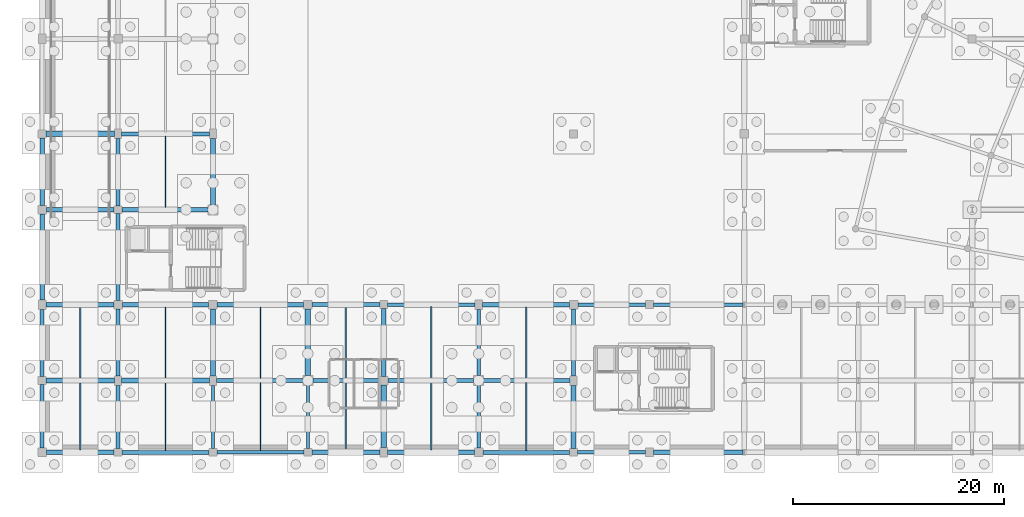
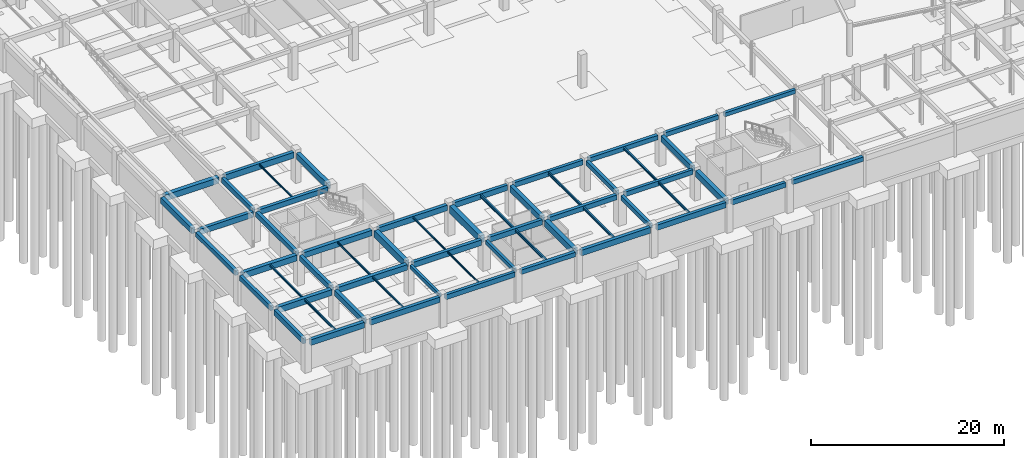
# One storey, part 17 of 42: 58 beams.
"""IFC4 building model written with IfcOpenShell, lengths in metres."""

from ifc_helpers import new_model, si_unit, direction, frame, origin, origin_2d, place, context, subcontext, project, spatial, rectangle, i_section, extrude, material, material_profile, profile_set, type_object, element, save


model = new_model("IFC4")

# Units and contexts
model_context = context("Model", 3, precision=1e-05, world=origin(), true_north=direction((0.0, 1.0)))
body_context = subcontext(model_context, "Body", "Model", "MODEL_VIEW")
ifc_project = project(units=[si_unit("LENGTHUNIT", "METRE"), si_unit("AREAUNIT", "SQUARE_METRE"), si_unit("VOLUMEUNIT", "CUBIC_METRE"), si_unit("PLANEANGLEUNIT", "RADIAN"), si_unit("MASSUNIT", "GRAM", prefix="KILO")], contexts=[model_context])

# Site, building, storey
site_placement = place(None, origin())
site = spatial("IfcSite", under=ifc_project, at=site_placement, CompositionType="ELEMENT")
building_placement = place(site_placement, origin())
building = spatial("IfcBuilding", under=site, at=building_placement, Name="Clarverna Civic Hall", CompositionType="ELEMENT")
storey_placement = place(building_placement, frame((0.0, 0.0, -4.199951171875)))
storey = spatial("IfcBuildingStorey", under=building, at=storey_placement, Name="B01", CompositionType="ELEMENT", Elevation=-4.199951171875)

# Beams
ifc_material_1 = material(Name="Concrete C35/45", Category="concrete")
ifc_material_profile_1 = material_profile(ifc_material_1, rectangle(XDim=0.5, YDim=0.85009765625, at=origin_2d()), Name="RC 500x850")
ifc_profile_set_1 = profile_set([ifc_material_profile_1], Name="Concrete C35/45")
beam_type_1 = type_object("IfcBeamType", Name="B-RC1", PredefinedType="BEAM", material=ifc_profile_set_1)
beam_1_placement = place(storey_placement, frame((16.199951171875, 7.25, 3.4150390625), z_axis=(0.0, 1.0, 0.0), x_axis=(-1.0, 0.0, 0.0)))
element("IfcBeam", 1, at=beam_1_placement, inside=storey, type_object=beam_type_1, Name="B-RC1-007", PredefinedType="BEAM", context=body_context, shape_type="SweptSolid", body=[
    extrude(rectangle(XDim=0.5, YDim=0.85009765625, at=origin_2d()), origin(), (0.0, 0.0, 1.0), 6.35009765625),
])
beam_2_placement = place(storey_placement, frame((32.39990234375, 0.449951171875, 3.4150390625), z_axis=(0.0, 1.0, 0.0), x_axis=(-1.0, 0.0, 0.0)))
element("IfcBeam", 2, at=beam_2_placement, inside=storey, type_object=beam_type_1, Name="B-RC1-008", PredefinedType="BEAM", context=body_context, shape_type="SweptSolid", body=[
    extrude(rectangle(XDim=0.5, YDim=0.85009765625, at=origin_2d()), origin(), (0.0, 0.0, 1.0), 5.949951171875),
])
ifc_material_profile_2 = material_profile(ifc_material_1, rectangle(XDim=0.35009765625, YDim=0.5, at=origin_2d()), Name="RC 350x500")
ifc_profile_set_2 = profile_set([ifc_material_profile_2], Name="Concrete C35/45")
beam_type_2 = type_object("IfcBeamType", Name="B-RC10", PredefinedType="BEAM", material=ifc_profile_set_2)
beam_3_placement = place(storey_placement, frame((57.97509765625, 14.0, 3.58984375), z_axis=(1.0, 0.0, 0.0), x_axis=(0.0, 1.0, 0.0)))
element("IfcBeam", 3, at=beam_3_placement, inside=storey, type_object=beam_type_2, Name="B-RC10-002", PredefinedType="BEAM", context=body_context, shape_type="SweptSolid", body=[
    extrude(rectangle(XDim=0.35009765625, YDim=0.5, at=origin_2d()), origin(), (0.0, 0.0, 1.0), 8.474853515625),
])
ifc_material_profile_3 = material_profile(ifc_material_1, rectangle(XDim=0.300048828125, YDim=0.5, at=origin_2d()), Name="RC 300x500")
ifc_profile_set_3 = profile_set([ifc_material_profile_3], Name="Concrete C35/45")
beam_type_3 = type_object("IfcBeamType", Name="B-RC12", PredefinedType="BEAM", material=ifc_profile_set_3)
beam_4_placement = place(storey_placement, frame((25.199951171875, 0.375, 3.58984375), z_axis=(0.0, 1.0, 0.0), x_axis=(-1.0, 0.0, 0.0)))
element("IfcBeam", 4, at=beam_4_placement, inside=storey, type_object=beam_type_3, Name="B-RC12-011", PredefinedType="BEAM", context=body_context, shape_type="SweptSolid", body=[
    extrude(rectangle(XDim=0.300048828125, YDim=0.5, at=origin_2d()), origin(), (0.0, 0.0, 1.0), 5.949951171875),
])
ifc_material_profile_4 = material_profile(ifc_material_1, rectangle(XDim=0.550048828125, YDim=0.89990234375, at=origin_2d()), Name="RC 550x900")
ifc_profile_set_4 = profile_set([ifc_material_profile_4], Name="Concrete C35/45")
beam_type_4 = type_object("IfcBeamType", Name="B-RC13", PredefinedType="BEAM", material=ifc_profile_set_4)
beam_5_placement = place(storey_placement, frame((25.199951171875, 7.27490234375, 3.389892578125), z_axis=(0.0, 1.0, 0.0), x_axis=(-1.0, 0.0, 0.0)))
element("IfcBeam", 5, at=beam_5_placement, inside=storey, type_object=beam_type_4, Name="B-RC13-009", PredefinedType="BEAM", context=body_context, shape_type="SweptSolid", body=[
    extrude(rectangle(XDim=0.550048828125, YDim=0.89990234375, at=origin_2d()), origin(), (0.0, 0.0, 1.0), 6.3251953125),
])
ifc_material_profile_5 = material_profile(ifc_material_1, rectangle(XDim=0.5, YDim=0.75, at=origin_2d()), Name="RC 500x750")
ifc_profile_set_5 = profile_set([ifc_material_profile_5], Name="Concrete C35/45")
beam_type_5 = type_object("IfcBeamType", Name="B-RC15", PredefinedType="BEAM", material=ifc_profile_set_5)
beam_6_placement = place(storey_placement, frame((0.375, 30.199951171875, 3.46484375), z_axis=(1.0, 0.0, 0.0), x_axis=(0.0, 1.0, 0.0)))
element("IfcBeam", 6, at=beam_6_placement, inside=storey, type_object=beam_type_5, Name="B-RC15-003", PredefinedType="BEAM", context=body_context, shape_type="SweptSolid", body=[
    extrude(rectangle(XDim=0.5, YDim=0.75, at=origin_2d()), origin(), (0.0, 0.0, 1.0), 6.47509765625),
])
beam_7_placement = place(storey_placement, frame((50.39990234375, 0.375, 3.46484375), z_axis=(0.0, 1.0, 0.0), x_axis=(-1.0, 0.0, 0.0)))
element("IfcBeam", 7, at=beam_7_placement, inside=storey, type_object=beam_type_5, Name="B-RC15-011", PredefinedType="BEAM", context=body_context, shape_type="SweptSolid", body=[
    extrude(rectangle(XDim=0.5, YDim=0.75, at=origin_2d()), origin(), (0.0, 0.0, 1.0), 5.97509765625),
])
ifc_material_profile_6 = material_profile(ifc_material_1, rectangle(XDim=0.39990234375, YDim=0.75, at=origin_2d()), Name="RC 400x750")
ifc_profile_set_6 = profile_set([ifc_material_profile_6], Name="Concrete C35/45")
beam_type_6 = type_object("IfcBeamType", Name="B-RC16", PredefinedType="BEAM", material=ifc_profile_set_6)
beam_8_placement = place(storey_placement, frame((7.550048828125, 30.199951171875, 3.46484375), z_axis=(1.0, 0.0, 0.0), x_axis=(0.0, 1.0, 0.0)))
element("IfcBeam", 8, at=beam_8_placement, inside=storey, type_object=beam_type_6, Name="B-RC16-003", PredefinedType="BEAM", context=body_context, shape_type="SweptSolid", body=[
    extrude(rectangle(XDim=0.39990234375, YDim=0.75, at=origin_2d()), origin(), (0.0, 0.0, 1.0), 8.300048828125),
])
beam_9_placement = place(storey_placement, frame((50.39990234375, 7.25, 3.46484375), z_axis=(0.0, 1.0, 0.0), x_axis=(-1.0, 0.0, 0.0)))
element("IfcBeam", 9, at=beam_9_placement, inside=storey, type_object=beam_type_6, Name="B-RC16-012", PredefinedType="BEAM", context=body_context, shape_type="SweptSolid", body=[
    extrude(rectangle(XDim=0.39990234375, YDim=0.75, at=origin_2d()), origin(), (0.0, 0.0, 1.0), 6.35009765625),
])
ifc_material_profile_7 = material_profile(ifc_material_1, rectangle(XDim=0.300048828125, YDim=0.449951171875, at=origin_2d()), Name="RC 300x450")
ifc_profile_set_7 = profile_set([ifc_material_profile_7], Name="Concrete C35/45")
beam_type_7 = type_object("IfcBeamType", Name="B-RC18", PredefinedType="BEAM", material=ifc_profile_set_7)
beam_10_placement = place(storey_placement, frame((16.199951171875, 0.375, 3.614990234375), z_axis=(0.0, 1.0, 0.0), x_axis=(-1.0, 0.0, 0.0)))
element("IfcBeam", 10, at=beam_10_placement, inside=storey, type_object=beam_type_7, Name="B-RC18-008", PredefinedType="BEAM", context=body_context, shape_type="SweptSolid", body=[
    extrude(rectangle(XDim=0.300048828125, YDim=0.449951171875, at=origin_2d()), origin(), (0.0, 0.0, 1.0), 5.97509765625),
])
ifc_material_profile_8 = material_profile(ifc_material_1, rectangle(XDim=0.449951171875, YDim=0.800048828125, at=origin_2d()), Name="RC 450x800")
ifc_profile_set_8 = profile_set([ifc_material_profile_8], Name="Concrete C35/45")
beam_type_8 = type_object("IfcBeamType", Name="B-RC2", PredefinedType="BEAM", material=ifc_profile_set_8)
beam_11_placement = place(storey_placement, frame((16.199951171875, 23.47509765625, 3.43994140625), z_axis=(0.0, 1.0, 0.0), x_axis=(-1.0, 0.0, 0.0)))
element("IfcBeam", 11, at=beam_11_placement, inside=storey, type_object=beam_type_8, Name="B-RC2-007", PredefinedType="BEAM", context=body_context, shape_type="SweptSolid", body=[
    extrude(rectangle(XDim=0.449951171875, YDim=0.800048828125, at=origin_2d()), origin(), (0.0, 0.0, 1.0), 6.27490234375),
])
beam_12_placement = place(storey_placement, frame((32.39990234375, 7.199951171875, 3.43994140625), z_axis=(0.0, 1.0, 0.0), x_axis=(-1.0, 0.0, 0.0)))
element("IfcBeam", 12, at=beam_12_placement, inside=storey, type_object=beam_type_8, Name="B-RC2-008", PredefinedType="BEAM", context=body_context, shape_type="SweptSolid", body=[
    extrude(rectangle(XDim=0.449951171875, YDim=0.800048828125, at=origin_2d()), origin(), (0.0, 0.0, 1.0), 6.425048828125),
])
ifc_material_profile_9 = material_profile(ifc_material_1, rectangle(XDim=0.449951171875, YDim=0.75, at=origin_2d()), Name="RC 450x750")
ifc_profile_set_9 = profile_set([ifc_material_profile_9], Name="Concrete C35/45")
beam_type_9 = type_object("IfcBeamType", Name="B-RC3", PredefinedType="BEAM", material=ifc_profile_set_9)
beam_13_placement = place(storey_placement, frame((0.375, 6.800048828125, 3.46484375), z_axis=(1.0, 0.0, 0.0), x_axis=(0.0, 1.0, 0.0)))
element("IfcBeam", 13, at=beam_13_placement, inside=storey, type_object=beam_type_9, Name="B-RC3-001", PredefinedType="BEAM", context=body_context, shape_type="SweptSolid", body=[
    extrude(rectangle(XDim=0.449951171875, YDim=0.75, at=origin_2d()), origin(), (0.0, 0.0, 1.0), 6.47509765625),
])
beam_14_placement = place(storey_placement, frame((0.35009765625, 14.0, 3.46484375), z_axis=(1.0, 0.0, 0.0), x_axis=(0.0, 1.0, 0.0)))
element("IfcBeam", 14, at=beam_14_placement, inside=storey, type_object=beam_type_9, Name="B-RC3-002", PredefinedType="BEAM", context=body_context, shape_type="SweptSolid", body=[
    extrude(rectangle(XDim=0.449951171875, YDim=0.75, at=origin_2d()), origin(), (0.0, 0.0, 1.0), 6.449951171875),
])
ifc_material_profile_10 = material_profile(ifc_material_1, rectangle(XDim=0.449951171875, YDim=0.699951171875, at=origin_2d()), Name="RC 450x700")
ifc_profile_set_10 = profile_set([ifc_material_profile_10], Name="Concrete C35/45")
beam_type_10 = type_object("IfcBeamType", Name="B-RC4", PredefinedType="BEAM", material=ifc_profile_set_10)
beam_15_placement = place(storey_placement, frame((7.550048828125, 6.800048828125, 3.489990234375), z_axis=(1.0, 0.0, 0.0), x_axis=(0.0, 1.0, 0.0)))
element("IfcBeam", 15, at=beam_15_placement, inside=storey, type_object=beam_type_10, Name="B-RC4-001", PredefinedType="BEAM", context=body_context, shape_type="SweptSolid", body=[
    extrude(rectangle(XDim=0.449951171875, YDim=0.699951171875, at=origin_2d()), origin(), (0.0, 0.0, 1.0), 8.300048828125),
])
beam_16_placement = place(storey_placement, frame((7.60009765625, 14.0, 3.489990234375), z_axis=(1.0, 0.0, 0.0), x_axis=(0.0, 1.0, 0.0)))
element("IfcBeam", 16, at=beam_16_placement, inside=storey, type_object=beam_type_10, Name="B-RC4-002", PredefinedType="BEAM", context=body_context, shape_type="SweptSolid", body=[
    extrude(rectangle(XDim=0.449951171875, YDim=0.699951171875, at=origin_2d()), origin(), (0.0, 0.0, 1.0), 8.199951171875),
])
ifc_material_profile_11 = material_profile(ifc_material_1, rectangle(XDim=0.39990234375, YDim=0.699951171875, at=origin_2d()), Name="RC 400x700")
ifc_profile_set_11 = profile_set([ifc_material_profile_11], Name="Concrete C35/45")
beam_type_11 = type_object("IfcBeamType", Name="B-RC5", PredefinedType="BEAM", material=ifc_profile_set_11)
beam_17_placement = place(storey_placement, frame((16.550048828125, 6.800048828125, 3.489990234375), z_axis=(1.0, 0.0, 0.0), x_axis=(0.0, 1.0, 0.0)))
element("IfcBeam", 17, at=beam_17_placement, inside=storey, type_object=beam_type_11, Name="B-RC5-001", PredefinedType="BEAM", context=body_context, shape_type="SweptSolid", body=[
    extrude(rectangle(XDim=0.39990234375, YDim=0.699951171875, at=origin_2d()), origin(), (0.0, 0.0, 1.0), 8.175048828125),
])
beam_18_placement = place(storey_placement, frame((16.60009765625, 14.0, 3.489990234375), z_axis=(1.0, 0.0, 0.0), x_axis=(0.0, 1.0, 0.0)))
element("IfcBeam", 18, at=beam_18_placement, inside=storey, type_object=beam_type_11, Name="B-RC5-002", PredefinedType="BEAM", context=body_context, shape_type="SweptSolid", body=[
    extrude(rectangle(XDim=0.39990234375, YDim=0.699951171875, at=origin_2d()), origin(), (0.0, 0.0, 1.0), 8.199951171875),
])
beam_19_placement = place(storey_placement, frame((0.39990234375, 23.0, 3.489990234375), z_axis=(1.0, 0.0, 0.0), x_axis=(0.0, 1.0, 0.0)))
element("IfcBeam", 19, at=beam_19_placement, inside=storey, type_object=beam_type_11, Name="B-RC5-003", PredefinedType="BEAM", context=body_context, shape_type="SweptSolid", body=[
    extrude(rectangle(XDim=0.39990234375, YDim=0.699951171875, at=origin_2d()), origin(), (0.0, 0.0, 1.0), 6.425048828125),
])
beam_20_placement = place(storey_placement, frame((7.199951171875, 0.375, 3.489990234375), z_axis=(0.0, 1.0, 0.0), x_axis=(-1.0, 0.0, 0.0)))
element("IfcBeam", 20, at=beam_20_placement, inside=storey, type_object=beam_type_11, Name="B-RC5-010", PredefinedType="BEAM", context=body_context, shape_type="SweptSolid", body=[
    extrude(rectangle(XDim=0.39990234375, YDim=0.699951171875, at=origin_2d()), origin(), (0.0, 0.0, 1.0), 5.97509765625),
])
ifc_material_profile_12 = material_profile(ifc_material_1, rectangle(XDim=0.39990234375, YDim=0.64990234375, at=origin_2d()), Name="RC 400x650")
ifc_profile_set_12 = profile_set([ifc_material_profile_12], Name="Concrete C35/45")
beam_type_12 = type_object("IfcBeamType", Name="B-RC6", PredefinedType="BEAM", material=ifc_profile_set_12)
beam_21_placement = place(storey_placement, frame((25.675048828125, 6.800048828125, 3.514892578125), z_axis=(1.0, 0.0, 0.0), x_axis=(0.0, 1.0, 0.0)))
element("IfcBeam", 21, at=beam_21_placement, inside=storey, type_object=beam_type_12, Name="B-RC6-001", PredefinedType="BEAM", context=body_context, shape_type="SweptSolid", body=[
    extrude(rectangle(XDim=0.39990234375, YDim=0.64990234375, at=origin_2d()), origin(), (0.0, 0.0, 1.0), 6.324951171875),
])
beam_22_placement = place(storey_placement, frame((7.574951171875, 23.0, 3.514892578125), z_axis=(1.0, 0.0, 0.0), x_axis=(0.0, 1.0, 0.0)))
element("IfcBeam", 22, at=beam_22_placement, inside=storey, type_object=beam_type_12, Name="B-RC6-002", PredefinedType="BEAM", context=body_context, shape_type="SweptSolid", body=[
    extrude(rectangle(XDim=0.39990234375, YDim=0.64990234375, at=origin_2d()), origin(), (0.0, 0.0, 1.0), 8.150146484375),
])
beam_23_placement = place(storey_placement, frame((7.199951171875, 7.25, 3.514892578125), z_axis=(0.0, 1.0, 0.0), x_axis=(-1.0, 0.0, 0.0)))
element("IfcBeam", 23, at=beam_23_placement, inside=storey, type_object=beam_type_12, Name="B-RC6-008", PredefinedType="BEAM", context=body_context, shape_type="SweptSolid", body=[
    extrude(rectangle(XDim=0.39990234375, YDim=0.64990234375, at=origin_2d()), origin(), (0.0, 0.0, 1.0), 6.35009765625),
])
ifc_material_profile_13 = material_profile(ifc_material_1, rectangle(XDim=0.39990234375, YDim=0.60009765625, at=origin_2d()), Name="RC 400x600")
ifc_profile_set_13 = profile_set([ifc_material_profile_13], Name="Concrete C35/45")
beam_type_13 = type_object("IfcBeamType", Name="B-RC7", PredefinedType="BEAM", material=ifc_profile_set_13)
beam_24_placement = place(storey_placement, frame((32.800048828125, 6.800048828125, 3.5400390625), z_axis=(1.0, 0.0, 0.0), x_axis=(0.0, 1.0, 0.0)))
element("IfcBeam", 24, at=beam_24_placement, inside=storey, type_object=beam_type_13, Name="B-RC7-001", PredefinedType="BEAM", context=body_context, shape_type="SweptSolid", body=[
    extrude(rectangle(XDim=0.39990234375, YDim=0.60009765625, at=origin_2d()), origin(), (0.0, 0.0, 1.0), 8.125),
])
beam_25_placement = place(storey_placement, frame((7.199951171875, 14.39990234375, 3.5400390625), z_axis=(0.0, 1.0, 0.0), x_axis=(-1.0, 0.0, 0.0)))
element("IfcBeam", 25, at=beam_25_placement, inside=storey, type_object=beam_type_13, Name="B-RC7-010", PredefinedType="BEAM", context=body_context, shape_type="SweptSolid", body=[
    extrude(rectangle(XDim=0.39990234375, YDim=0.60009765625, at=origin_2d()), origin(), (0.0, 0.0, 1.0), 8.22509765625),
])
ifc_material_profile_14 = material_profile(ifc_material_1, rectangle(XDim=0.35009765625, YDim=0.60009765625, at=origin_2d()), Name="RC 350x600")
ifc_profile_set_14 = profile_set([ifc_material_profile_14], Name="Concrete C35/45")
beam_type_14 = type_object("IfcBeamType", Name="B-RC8", PredefinedType="BEAM", material=ifc_profile_set_14)
beam_26_placement = place(storey_placement, frame((41.875, 6.800048828125, 3.5400390625), z_axis=(1.0, 0.0, 0.0), x_axis=(0.0, 1.0, 0.0)))
element("IfcBeam", 26, at=beam_26_placement, inside=storey, type_object=beam_type_14, Name="B-RC8-001", PredefinedType="BEAM", context=body_context, shape_type="SweptSolid", body=[
    extrude(rectangle(XDim=0.35009765625, YDim=0.60009765625, at=origin_2d()), origin(), (0.0, 0.0, 1.0), 8.175048828125),
])
beam_27_placement = place(storey_placement, frame((7.199951171875, 23.375, 3.5400390625), z_axis=(0.0, 1.0, 0.0), x_axis=(-1.0, 0.0, 0.0)))
element("IfcBeam", 27, at=beam_27_placement, inside=storey, type_object=beam_type_14, Name="B-RC8-009", PredefinedType="BEAM", context=body_context, shape_type="SweptSolid", body=[
    extrude(rectangle(XDim=0.35009765625, YDim=0.60009765625, at=origin_2d()), origin(), (0.0, 0.0, 1.0), 6.375),
])
beam_28_placement = place(storey_placement, frame((41.39990234375, 0.39990234375, 3.5400390625), z_axis=(0.0, 1.0, 0.0), x_axis=(-1.0, 0.0, 0.0)))
element("IfcBeam", 28, at=beam_28_placement, inside=storey, type_object=beam_type_14, Name="B-RC8-010", PredefinedType="BEAM", context=body_context, shape_type="SweptSolid", body=[
    extrude(rectangle(XDim=0.35009765625, YDim=0.60009765625, at=origin_2d()), origin(), (0.0, 0.0, 1.0), 5.925048828125),
])
ifc_material_profile_15 = material_profile(ifc_material_1, rectangle(XDim=0.35009765625, YDim=0.550048828125, at=origin_2d()), Name="RC 350x550")
ifc_profile_set_15 = profile_set([ifc_material_profile_15], Name="Concrete C35/45")
beam_type_15 = type_object("IfcBeamType", Name="B-RC9", PredefinedType="BEAM", material=ifc_profile_set_15)
beam_29_placement = place(storey_placement, frame((50.800048828125, 14.0, 3.56494140625), z_axis=(1.0, 0.0, 0.0), x_axis=(0.0, 1.0, 0.0)))
element("IfcBeam", 29, at=beam_29_placement, inside=storey, type_object=beam_type_15, Name="B-RC9-002", PredefinedType="BEAM", context=body_context, shape_type="SweptSolid", body=[
    extrude(rectangle(XDim=0.35009765625, YDim=0.550048828125, at=origin_2d()), origin(), (0.0, 0.0, 1.0), 6.425048828125),
])
beam_30_placement = place(storey_placement, frame((41.39990234375, 7.27490234375, 3.56494140625), z_axis=(0.0, 1.0, 0.0), x_axis=(-1.0, 0.0, 0.0)))
element("IfcBeam", 30, at=beam_30_placement, inside=storey, type_object=beam_type_15, Name="B-RC9-010", PredefinedType="BEAM", context=body_context, shape_type="SweptSolid", body=[
    extrude(rectangle(XDim=0.35009765625, YDim=0.550048828125, at=origin_2d()), origin(), (0.0, 0.0, 1.0), 6.275146484375),
])
ifc_material_profile_16 = material_profile(ifc_material_1, rectangle(XDim=0.419921875, YDim=0.719970703125, at=origin_2d()), Name="RC 420x720")
ifc_profile_set_16 = profile_set([ifc_material_profile_16], Name="Concrete C35/45")
beam_type_16 = type_object("IfcBeamType", Name="B-SP1", PredefinedType="SPANDREL", material=ifc_profile_set_16)
beam_31_placement = place(storey_placement, frame((0.39990234375, 0.0, 3.47998046875), z_axis=(1.0, 0.0, 0.0), x_axis=(0.0, 1.0, 0.0)))
element("IfcBeam", 31, at=beam_31_placement, inside=storey, type_object=beam_type_16, Name="B-SP1-001", PredefinedType="SPANDREL", context=body_context, shape_type="SweptSolid", body=[
    extrude(rectangle(XDim=0.419921875, YDim=0.719970703125, at=origin_2d()), origin(), (0.0, 0.0, 1.0), 6.425048828125),
])
beam_32_placement = place(storey_placement, frame((32.75, 0.0, 3.47998046875), z_axis=(1.0, 0.0, 0.0), x_axis=(0.0, 1.0, 0.0)))
element("IfcBeam", 32, at=beam_32_placement, inside=storey, type_object=beam_type_16, Name="B-SP1-002", PredefinedType="SPANDREL", context=body_context, shape_type="SweptSolid", body=[
    extrude(rectangle(XDim=0.419921875, YDim=0.719970703125, at=origin_2d()), origin(), (0.0, 0.0, 1.0), 8.25),
])
beam_33_placement = place(storey_placement, frame((0.0, 23.39990234375, 3.47998046875), z_axis=(0.0, 1.0, 0.0), x_axis=(-1.0, 0.0, 0.0)))
element("IfcBeam", 33, at=beam_33_placement, inside=storey, type_object=beam_type_16, Name="B-SP1-017", PredefinedType="SPANDREL", context=body_context, shape_type="SweptSolid", body=[
    extrude(rectangle(XDim=0.419921875, YDim=0.719970703125, at=origin_2d()), origin(), (0.0, 0.0, 1.0), 6.425048828125),
])
ifc_material_profile_17 = material_profile(ifc_material_1, rectangle(XDim=0.3798828125, YDim=0.679931640625, at=origin_2d()), Name="RC 380x680")
ifc_profile_set_17 = profile_set([ifc_material_profile_17], Name="Concrete C35/45")
beam_type_17 = type_object("IfcBeamType", Name="B-SP2", PredefinedType="SPANDREL", material=ifc_profile_set_17)
beam_34_placement = place(storey_placement, frame((7.574951171875, 0.0, 3.5), z_axis=(1.0, 0.0, 0.0), x_axis=(0.0, 1.0, 0.0)))
element("IfcBeam", 34, at=beam_34_placement, inside=storey, type_object=beam_type_17, Name="B-SP2-001", PredefinedType="SPANDREL", context=body_context, shape_type="SweptSolid", body=[
    extrude(rectangle(XDim=0.3798828125, YDim=0.679931640625, at=origin_2d()), origin(), (0.0, 0.0, 1.0), 8.25),
])
beam_35_placement = place(storey_placement, frame((41.800048828125, 0.0, 3.5), z_axis=(1.0, 0.0, 0.0), x_axis=(0.0, 1.0, 0.0)))
element("IfcBeam", 35, at=beam_35_placement, inside=storey, type_object=beam_type_17, Name="B-SP2-002", PredefinedType="SPANDREL", context=body_context, shape_type="SweptSolid", body=[
    extrude(rectangle(XDim=0.3798828125, YDim=0.679931640625, at=origin_2d()), origin(), (0.0, 0.0, 1.0), 8.224853515625),
])
beam_36_placement = place(storey_placement, frame((25.60009765625, 14.0, 3.5), z_axis=(1.0, 0.0, 0.0), x_axis=(0.0, 1.0, 0.0)))
element("IfcBeam", 36, at=beam_36_placement, inside=storey, type_object=beam_type_17, Name="B-SP2-006", PredefinedType="SPANDREL", context=body_context, shape_type="SweptSolid", body=[
    extrude(rectangle(XDim=0.3798828125, YDim=0.679931640625, at=origin_2d()), origin(), (0.0, 0.0, 1.0), 6.4248046875),
])
beam_37_placement = place(storey_placement, frame((0.0, 0.39990234375, 3.5), z_axis=(0.0, 1.0, 0.0), x_axis=(-1.0, 0.0, 0.0)))
element("IfcBeam", 37, at=beam_37_placement, inside=storey, type_object=beam_type_17, Name="B-SP2-016", PredefinedType="SPANDREL", context=body_context, shape_type="SweptSolid", body=[
    extrude(rectangle(XDim=0.3798828125, YDim=0.679931640625, at=origin_2d()), origin(), (0.0, 0.0, 1.0), 6.025146484375),
])
ifc_material_profile_18 = material_profile(ifc_material_1, rectangle(XDim=0.360107421875, YDim=0.6201171875, at=origin_2d()), Name="RC 360x620")
ifc_profile_set_18 = profile_set([ifc_material_profile_18], Name="Concrete C35/45")
beam_type_18 = type_object("IfcBeamType", Name="B-SP3", PredefinedType="SPANDREL", material=ifc_profile_set_18)
beam_38_placement = place(storey_placement, frame((16.574951171875, 0.0, 3.530029296875), z_axis=(1.0, 0.0, 0.0), x_axis=(0.0, 1.0, 0.0)))
element("IfcBeam", 38, at=beam_38_placement, inside=storey, type_object=beam_type_18, Name="B-SP3-001", PredefinedType="SPANDREL", context=body_context, shape_type="SweptSolid", body=[
    extrude(rectangle(XDim=0.360107421875, YDim=0.6201171875, at=origin_2d()), origin(), (0.0, 0.0, 1.0), 8.25),
])
beam_39_placement = place(storey_placement, frame((50.77490234375, 0.0, 3.530029296875), z_axis=(1.0, 0.0, 0.0), x_axis=(0.0, 1.0, 0.0)))
element("IfcBeam", 39, at=beam_39_placement, inside=storey, type_object=beam_type_18, Name="B-SP3-002", PredefinedType="SPANDREL", context=body_context, shape_type="SweptSolid", body=[
    extrude(rectangle(XDim=0.360107421875, YDim=0.6201171875, at=origin_2d()), origin(), (0.0, 0.0, 1.0), 6.425048828125),
])
beam_40_placement = place(storey_placement, frame((32.77490234375, 14.0, 3.530029296875), z_axis=(1.0, 0.0, 0.0), x_axis=(0.0, 1.0, 0.0)))
element("IfcBeam", 40, at=beam_40_placement, inside=storey, type_object=beam_type_18, Name="B-SP3-006", PredefinedType="SPANDREL", context=body_context, shape_type="SweptSolid", body=[
    extrude(rectangle(XDim=0.360107421875, YDim=0.6201171875, at=origin_2d()), origin(), (0.0, 0.0, 1.0), 8.275146484375),
])
beam_41_placement = place(storey_placement, frame((0.0, 7.175048828125, 3.530029296875), z_axis=(0.0, 1.0, 0.0), x_axis=(-1.0, 0.0, 0.0)))
element("IfcBeam", 41, at=beam_41_placement, inside=storey, type_object=beam_type_18, Name="B-SP3-016", PredefinedType="SPANDREL", context=body_context, shape_type="SweptSolid", body=[
    extrude(rectangle(XDim=0.360107421875, YDim=0.6201171875, at=origin_2d()), origin(), (0.0, 0.0, 1.0), 6.375),
])
ifc_material_profile_19 = material_profile(ifc_material_1, rectangle(XDim=0.39990234375, YDim=0.56005859375, at=origin_2d()), Name="RC 400x560")
ifc_profile_set_19 = profile_set([ifc_material_profile_19], Name="Concrete C35/45")
beam_type_19 = type_object("IfcBeamType", Name="B-SP4", PredefinedType="SPANDREL", material=ifc_profile_set_19)
beam_42_placement = place(storey_placement, frame((25.574951171875, 0.0, 3.56005859375), z_axis=(1.0, 0.0, 0.0), x_axis=(0.0, 1.0, 0.0)))
element("IfcBeam", 42, at=beam_42_placement, inside=storey, type_object=beam_type_19, Name="B-SP4-001", PredefinedType="SPANDREL", context=body_context, shape_type="SweptSolid", body=[
    extrude(rectangle(XDim=0.39990234375, YDim=0.56005859375, at=origin_2d()), origin(), (0.0, 0.0, 1.0), 6.47509765625),
])
beam_43_placement = place(storey_placement, frame((58.0, 0.0, 3.56005859375), z_axis=(1.0, 0.0, 0.0), x_axis=(0.0, 1.0, 0.0)))
element("IfcBeam", 43, at=beam_43_placement, inside=storey, type_object=beam_type_19, Name="B-SP4-002", PredefinedType="SPANDREL", context=body_context, shape_type="SweptSolid", body=[
    extrude(rectangle(XDim=0.39990234375, YDim=0.56005859375, at=origin_2d()), origin(), (0.0, 0.0, 1.0), 8.449951171875),
])
beam_44_placement = place(storey_placement, frame((41.75, 14.0, 3.56005859375), z_axis=(1.0, 0.0, 0.0), x_axis=(0.0, 1.0, 0.0)))
element("IfcBeam", 44, at=beam_44_placement, inside=storey, type_object=beam_type_19, Name="B-SP4-006", PredefinedType="SPANDREL", context=body_context, shape_type="SweptSolid", body=[
    extrude(rectangle(XDim=0.39990234375, YDim=0.56005859375, at=origin_2d()), origin(), (0.0, 0.0, 1.0), 8.25),
])
beam_45_placement = place(storey_placement, frame((0.0, 14.449951171875, 3.56005859375), z_axis=(0.0, 1.0, 0.0), x_axis=(-1.0, 0.0, 0.0)))
element("IfcBeam", 45, at=beam_45_placement, inside=storey, type_object=beam_type_19, Name="B-SP4-016", PredefinedType="SPANDREL", context=body_context, shape_type="SweptSolid", body=[
    extrude(rectangle(XDim=0.39990234375, YDim=0.56005859375, at=origin_2d()), origin(), (0.0, 0.0, 1.0), 8.150146484375),
])
ifc_material_2 = material(Name="Steel S355", Category="steel")
ifc_material_profile_20 = material_profile(ifc_material_2, i_section(OverallWidth=0.169921875, OverallDepth=0.360107421875, WebThickness=0.008056640625, FlangeThickness=0.0126953125, FilletRadius=0.01806640625, at=origin_2d()), Name="IPE 360")
ifc_profile_set_20 = profile_set([ifc_material_profile_20], Name="Steel S355")
beam_type_20 = type_object("IfcBeamType", Name="J-ST1", PredefinedType="JOIST", material=ifc_profile_set_20)
beam_46_placement = place(storey_placement, frame((28.800048828125, 0.199951171875, 3.659912109375), z_axis=(0.0, 1.0, 0.0), x_axis=(-1.0, 0.0, 0.0)))
element("IfcBeam", 46, at=beam_46_placement, inside=storey, type_object=beam_type_20, Name="J-ST1-001", PredefinedType="JOIST", context=body_context, shape_type="SweptSolid", body=[
    extrude(i_section(OverallWidth=0.169921875, OverallDepth=0.360107421875, WebThickness=0.008056640625, FlangeThickness=0.0126953125, FilletRadius=0.01806640625, at=origin_2d()), origin(), (0.0, 0.0, 1.0), 6.400146484375),
])
beam_47_placement = place(storey_placement, frame((28.800048828125, 7.0, 3.659912109375), z_axis=(0.0, 1.0, 0.0), x_axis=(-1.0, 0.0, 0.0)))
element("IfcBeam", 47, at=beam_47_placement, inside=storey, type_object=beam_type_20, Name="J-ST1-004", PredefinedType="JOIST", context=body_context, shape_type="SweptSolid", body=[
    extrude(i_section(OverallWidth=0.169921875, OverallDepth=0.360107421875, WebThickness=0.008056640625, FlangeThickness=0.0126953125, FilletRadius=0.01806640625, at=origin_2d()), origin(), (0.0, 0.0, 1.0), 6.81005859375),
])
ifc_material_profile_21 = material_profile(ifc_material_2, i_section(OverallWidth=0.159912109375, OverallDepth=0.330078125, WebThickness=0.007568359375, FlangeThickness=0.011474609375, FilletRadius=0.01806640625, at=origin_2d()), Name="IPE 330")
ifc_profile_set_21 = profile_set([ifc_material_profile_21], Name="Steel S355")
beam_type_21 = type_object("IfcBeamType", Name="J-ST2", PredefinedType="JOIST", material=ifc_profile_set_21)
beam_48_placement = place(storey_placement, frame((36.89990234375, 0.2099609375, 3.675048828125), z_axis=(0.0, 1.0, 0.0), x_axis=(-1.0, 0.0, 0.0)))
element("IfcBeam", 48, at=beam_48_placement, inside=storey, type_object=beam_type_21, Name="J-ST2-001", PredefinedType="JOIST", context=body_context, shape_type="SweptSolid", body=[
    extrude(i_section(OverallWidth=0.159912109375, OverallDepth=0.330078125, WebThickness=0.007568359375, FlangeThickness=0.011474609375, FilletRadius=0.01806640625, at=origin_2d()), origin(), (0.0, 0.0, 1.0), 6.39013671875),
])
beam_49_placement = place(storey_placement, frame((36.89990234375, 7.0, 3.675048828125), z_axis=(0.0, 1.0, 0.0), x_axis=(-1.0, 0.0, 0.0)))
element("IfcBeam", 49, at=beam_49_placement, inside=storey, type_object=beam_type_21, Name="J-ST2-004", PredefinedType="JOIST", context=body_context, shape_type="SweptSolid", body=[
    extrude(i_section(OverallWidth=0.159912109375, OverallDepth=0.330078125, WebThickness=0.007568359375, FlangeThickness=0.011474609375, FilletRadius=0.01806640625, at=origin_2d()), origin(), (0.0, 0.0, 1.0), 6.820068359375),
])
ifc_material_profile_22 = material_profile(ifc_material_2, i_section(OverallWidth=0.14990234375, OverallDepth=0.300048828125, WebThickness=0.007080078125, FlangeThickness=0.0107421875, FilletRadius=0.014892578125, at=origin_2d()), Name="IPE 300")
ifc_profile_set_22 = profile_set([ifc_material_profile_22], Name="Steel S355")
beam_type_22 = type_object("IfcBeamType", Name="J-ST3", PredefinedType="JOIST", material=ifc_profile_set_22)
beam_50_placement = place(storey_placement, frame((45.89990234375, 0.18994140625, 3.68994140625), z_axis=(0.0, 1.0, 0.0), x_axis=(-1.0, 0.0, 0.0)))
element("IfcBeam", 50, at=beam_50_placement, inside=storey, type_object=beam_type_22, Name="J-ST3-001", PredefinedType="JOIST", context=body_context, shape_type="SweptSolid", body=[
    extrude(i_section(OverallWidth=0.14990234375, OverallDepth=0.300048828125, WebThickness=0.007080078125, FlangeThickness=0.0107421875, FilletRadius=0.014892578125, at=origin_2d()), origin(), (0.0, 0.0, 1.0), 6.43505859375),
])
beam_51_placement = place(storey_placement, frame((45.89990234375, 6.97509765625, 3.68994140625), z_axis=(0.0, 1.0, 0.0), x_axis=(-1.0, 0.0, 0.0)))
element("IfcBeam", 51, at=beam_51_placement, inside=storey, type_object=beam_type_22, Name="J-ST3-004", PredefinedType="JOIST", context=body_context, shape_type="SweptSolid", body=[
    extrude(i_section(OverallWidth=0.14990234375, OverallDepth=0.300048828125, WebThickness=0.007080078125, FlangeThickness=0.0107421875, FilletRadius=0.014892578125, at=origin_2d()), origin(), (0.0, 0.0, 1.0), 6.824951171875),
])
ifc_material_profile_23 = material_profile(ifc_material_2, i_section(OverallWidth=0.135009765625, OverallDepth=0.27001953125, WebThickness=0.006591796875, FlangeThickness=0.01025390625, FilletRadius=0.014892578125, at=origin_2d()), Name="IPE 270")
ifc_profile_set_23 = profile_set([ifc_material_profile_23], Name="Steel S355")
beam_type_23 = type_object("IfcBeamType", Name="J-ST4", PredefinedType="JOIST", material=ifc_profile_set_23)
beam_52_placement = place(storey_placement, frame((3.60009765625, 0.2099609375, 3.704833984375), z_axis=(0.0, 1.0, 0.0), x_axis=(-1.0, 0.0, 0.0)))
element("IfcBeam", 52, at=beam_52_placement, inside=storey, type_object=beam_type_23, Name="J-ST4-001", PredefinedType="JOIST", context=body_context, shape_type="SweptSolid", body=[
    extrude(i_section(OverallWidth=0.135009765625, OverallDepth=0.27001953125, WebThickness=0.006591796875, FlangeThickness=0.01025390625, FilletRadius=0.014892578125, at=origin_2d()), origin(), (0.0, 0.0, 1.0), 6.364990234375),
])
beam_53_placement = place(storey_placement, frame((3.60009765625, 7.02490234375, 3.704833984375), z_axis=(0.0, 1.0, 0.0), x_axis=(-1.0, 0.0, 0.0)))
element("IfcBeam", 53, at=beam_53_placement, inside=storey, type_object=beam_type_23, Name="J-ST4-004", PredefinedType="JOIST", context=body_context, shape_type="SweptSolid", body=[
    extrude(i_section(OverallWidth=0.135009765625, OverallDepth=0.27001953125, WebThickness=0.006591796875, FlangeThickness=0.01025390625, FilletRadius=0.014892578125, at=origin_2d()), origin(), (0.0, 0.0, 1.0), 6.75),
])
ifc_material_profile_24 = material_profile(ifc_material_2, i_section(OverallWidth=0.1201171875, OverallDepth=0.239990234375, WebThickness=0.006103515625, FlangeThickness=0.009765625, FilletRadius=0.014892578125, at=origin_2d()), Name="IPE 240")
ifc_profile_set_24 = profile_set([ifc_material_profile_24], Name="Steel S355")
beam_type_24 = type_object("IfcBeamType", Name="J-ST5", PredefinedType="JOIST", material=ifc_profile_set_24)
beam_54_placement = place(storey_placement, frame((11.699951171875, 0.18994140625, 3.719970703125), z_axis=(0.0, 1.0, 0.0), x_axis=(-1.0, 0.0, 0.0)))
element("IfcBeam", 54, at=beam_54_placement, inside=storey, type_object=beam_type_24, Name="J-ST5-001", PredefinedType="JOIST", context=body_context, shape_type="SweptSolid", body=[
    extrude(i_section(OverallWidth=0.1201171875, OverallDepth=0.239990234375, WebThickness=0.006103515625, FlangeThickness=0.009765625, FilletRadius=0.014892578125, at=origin_2d()), origin(), (0.0, 0.0, 1.0), 6.385009765625),
])
beam_55_placement = place(storey_placement, frame((11.699951171875, 7.02490234375, 3.719970703125), z_axis=(0.0, 1.0, 0.0), x_axis=(-1.0, 0.0, 0.0)))
element("IfcBeam", 55, at=beam_55_placement, inside=storey, type_object=beam_type_24, Name="J-ST5-004", PredefinedType="JOIST", context=body_context, shape_type="SweptSolid", body=[
    extrude(i_section(OverallWidth=0.1201171875, OverallDepth=0.239990234375, WebThickness=0.006103515625, FlangeThickness=0.009765625, FilletRadius=0.014892578125, at=origin_2d()), origin(), (0.0, 0.0, 1.0), 6.75),
])
ifc_material_profile_25 = material_profile(ifc_material_2, i_section(OverallWidth=0.110107421875, OverallDepth=0.219970703125, WebThickness=0.005859375, FlangeThickness=0.00927734375, FilletRadius=0.011962890625, at=origin_2d()), Name="IPE 220")
ifc_profile_set_25 = profile_set([ifc_material_profile_25], Name="Steel S355")
beam_type_25 = type_object("IfcBeamType", Name="J-ST6", PredefinedType="JOIST", material=ifc_profile_set_25)
beam_56_placement = place(storey_placement, frame((20.699951171875, 0.179931640625, 3.72998046875), z_axis=(0.0, 1.0, 0.0), x_axis=(-1.0, 0.0, 0.0)))
element("IfcBeam", 56, at=beam_56_placement, inside=storey, type_object=beam_type_25, Name="J-ST6-001", PredefinedType="JOIST", context=body_context, shape_type="SweptSolid", body=[
    extrude(i_section(OverallWidth=0.110107421875, OverallDepth=0.219970703125, WebThickness=0.005859375, FlangeThickness=0.00927734375, FilletRadius=0.011962890625, at=origin_2d()), origin(), (0.0, 0.0, 1.0), 6.420166015625),
])
for number, where, z_axis, x_axis, name in (
    (57, (20.699951171875, 7.0, 3.72998046875), (0.0, 1.0, 0.0), (-1.0, 0.0, 0.0), "J-ST6-004"),
    (58, (11.699951171875, 23.199951171875, 3.72998046875), (0.0, 1.0, 0.0), (-1.0, 0.0, 0.0), "J-ST6-008"),
):
    element("IfcBeam", number, at=place(storey_placement, frame(where, z_axis=z_axis, x_axis=x_axis)), inside=storey, type_object=beam_type_25, Name=name, PredefinedType="JOIST", context=body_context, shape_type="SweptSolid", body=[
        extrude(i_section(OverallWidth=0.110107421875, OverallDepth=0.219970703125, WebThickness=0.005859375, FlangeThickness=0.00927734375, FilletRadius=0.011962890625, at=origin_2d()), origin(), (0.0, 0.0, 1.0), 6.800048828125),
    ])

save(model, "model.ifc")
